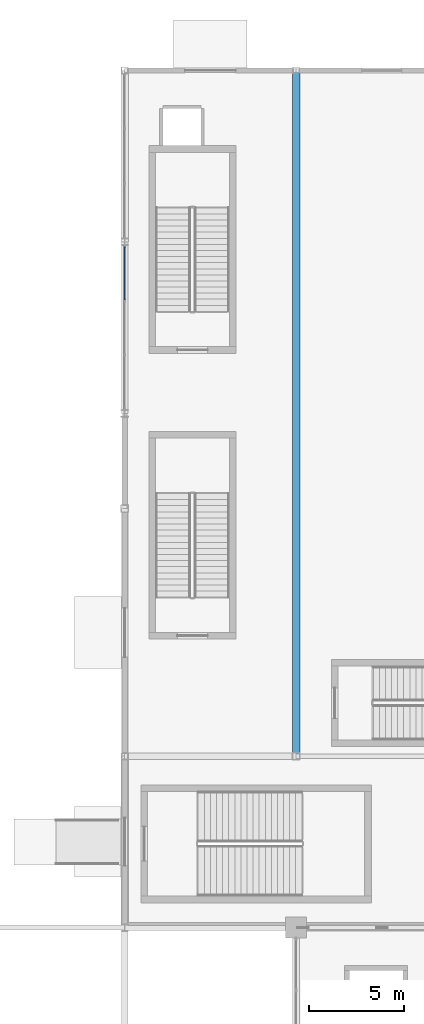
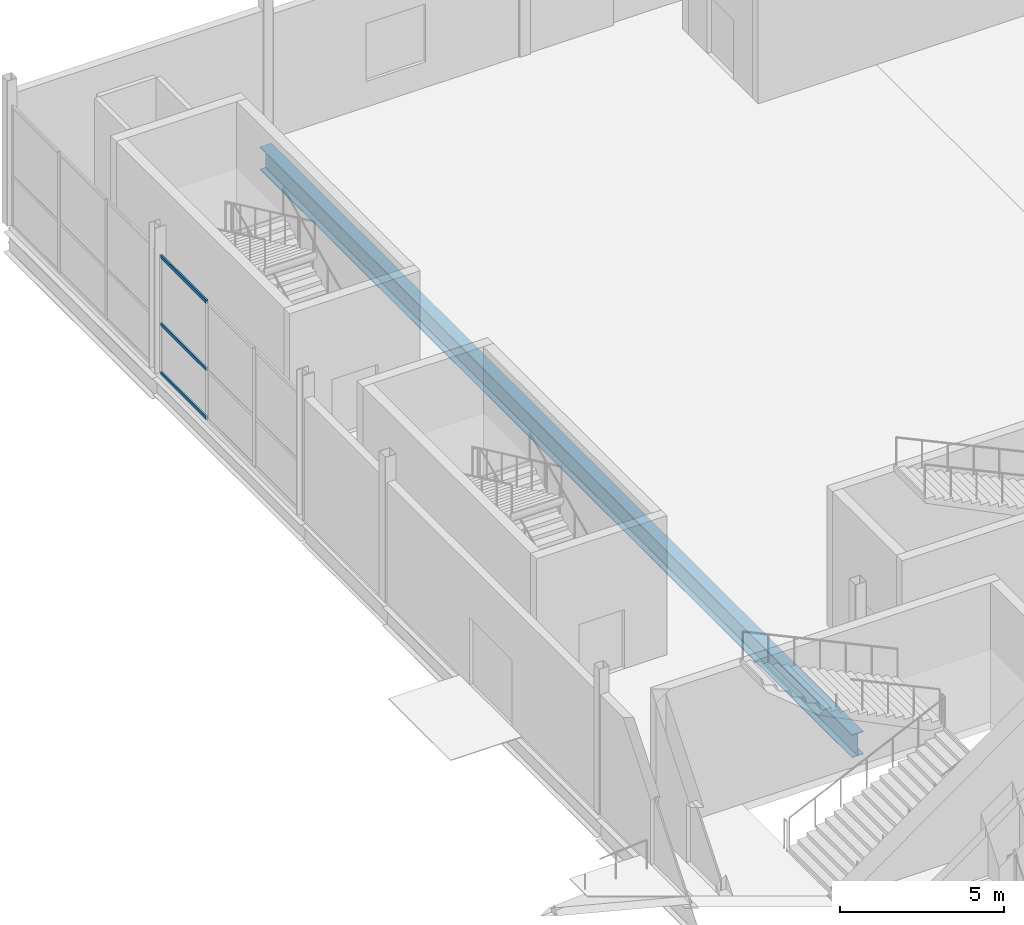
# One storey, part 38 of 94: 3 members, 1 beam, 1 element without a shape of its own.
"""IFC4 building model written with IfcOpenShell, lengths in metres."""

from ifc_helpers import new_model, si_unit, direction, frame, origin, origin_2d, place, context, subcontext, project, spatial, rectangle, i_section, extrude, material, layer, layer_set, material_profile, profile_set, type_object, element, aggregate, save


model = new_model("IFC4")

# Units and contexts
model_context = context("Model", 3, precision=1e-05, world=origin(), true_north=direction((0.0, 1.0)))
body_context = subcontext(model_context, "Body", "Model", "MODEL_VIEW")
ifc_project = project(units=[si_unit("LENGTHUNIT", "METRE"), si_unit("AREAUNIT", "SQUARE_METRE"), si_unit("VOLUMEUNIT", "CUBIC_METRE"), si_unit("PLANEANGLEUNIT", "RADIAN"), si_unit("MASSUNIT", "GRAM", prefix="KILO")], contexts=[model_context])

# Site, building, storey
site_placement = place(None, origin())
site = spatial("IfcSite", under=ifc_project, at=site_placement, CompositionType="ELEMENT")
building_placement = place(site_placement, origin())
building = spatial("IfcBuilding", under=site, at=building_placement, Name="Qamarlyn Nura Convention Centre", CompositionType="ELEMENT")
storey_placement = place(building_placement, origin())
storey = spatial("IfcBuildingStorey", under=building, at=storey_placement, Name="L00", CompositionType="ELEMENT", Elevation=0.0)

# Beam
ifc_material_1 = material(Name="Steel ASTM A992", Category="steel")
ifc_material_profile_1 = material_profile(ifc_material_1, i_section(OverallWidth=0.39990234375, OverallDepth=0.85498046875, WebThickness=0.018310546875, FlangeThickness=0.029296875, FilletRadius=0.02197265625, at=origin_2d()), Name="W840X299")
ifc_profile_set_1 = profile_set([ifc_material_profile_1], Name="Steel ASTM A992")
beam_type = type_object("IfcBeamType", Name="BM-GIRD-840", PredefinedType="BEAM", material=ifc_profile_set_1)
beam_placement = place(storey_placement, frame((153.0, 90.0, -0.70751953125), z_axis=(0.0, 1.0, 0.0), x_axis=(-1.0, 0.0, 0.0)))
element("IfcBeam", 1, at=beam_placement, inside=storey, type_object=beam_type, Name="L00 girder 13 L-Q", PredefinedType="BEAM", context=body_context, shape_type="SweptSolid", body=[
    extrude(i_section(OverallWidth=0.39990234375, OverallDepth=0.85498046875, WebThickness=0.018310546875, FlangeThickness=0.029296875, FilletRadius=0.02197265625, at=origin_2d()), origin(), (0.0, 0.0, 1.0), 36.0),
])

# Curtain wall, members
ifc_material_2 = material(Name="Double-silver low-E insulated glass", Category="glass")
ifc_layer = layer(ifc_material_2, 0.179931640625, Name="CW-UNIT-64")
ifc_layer_set = layer_set([ifc_layer], Name="Double-silver low-E insulated glass")
curtain_wall_type = type_object("IfcCurtainWallType", Name="CW-UNIT-64", PredefinedType="NOTDEFINED", material=ifc_layer_set)
curtain_wall_placement = place(storey_placement, origin())
curtain_wall = element("IfcCurtainWall", 2, at=curtain_wall_placement, inside=storey, type_object=curtain_wall_type, Name="L00 unitised curtain wall PLW-108-1", PredefinedType="NOTDEFINED")
ifc_material_3 = material(Name="Champagne-anodised marine aluminium", Category="aluminium")
ifc_material_profile_2 = material_profile(ifc_material_3, rectangle(XDim=0.06494140625, YDim=0.1201171875, at=origin_2d()), Name="ALU TRANSOM 65x120")
ifc_profile_set_2 = profile_set([ifc_material_profile_2], Name="Champagne-anodised marine aluminium")
member_type = type_object("IfcMemberType", Name="CWT-120", PredefinedType="USERDEFINED", material=ifc_profile_set_2)
member_1_placement = place(storey_placement, frame((144.0, 113.97412109375, 0.032470703125), z_axis=(0.0, 1.0, 0.0), x_axis=(-1.0, 0.0, 0.0)))
member_1 = element("IfcMember", 3, at=member_1_placement, type_object=member_type, Name="CW64 transom 3.1", ObjectType="TRANSOM", PredefinedType="USERDEFINED", context=body_context, shape_type="SweptSolid", body=[
    extrude(rectangle(XDim=0.06494140625, YDim=0.1201171875, at=origin_2d()), origin(), (0.0, 0.0, 1.0), 2.77490234375),
])
member_2_placement = place(storey_placement, frame((144.0, 113.97412109375, 1.8359375), z_axis=(0.0, 1.0, 0.0), x_axis=(-1.0, 0.0, 0.0)))
member_2 = element("IfcMember", 4, at=member_2_placement, type_object=member_type, Name="CW64 transom 3.2", ObjectType="TRANSOM", PredefinedType="USERDEFINED", context=body_context, shape_type="SweptSolid", body=[
    extrude(rectangle(XDim=0.06494140625, YDim=0.1201171875, at=origin_2d()), origin(), (0.0, 0.0, 1.0), 2.77490234375),
])
member_3_placement = place(storey_placement, frame((144.0, 113.97412109375, 4.339599609375), z_axis=(0.0, 1.0, 0.0), x_axis=(-1.0, 0.0, 0.0)))
member_3 = element("IfcMember", 5, at=member_3_placement, type_object=member_type, Name="CW64 transom 3.3", ObjectType="TRANSOM", PredefinedType="USERDEFINED", context=body_context, shape_type="SweptSolid", body=[
    extrude(rectangle(XDim=0.06494140625, YDim=0.1201171875, at=origin_2d()), origin(), (0.0, 0.0, 1.0), 2.77490234375),
])
aggregate(curtain_wall, [member_1, member_2, member_3])

save(model, "model.ifc")
